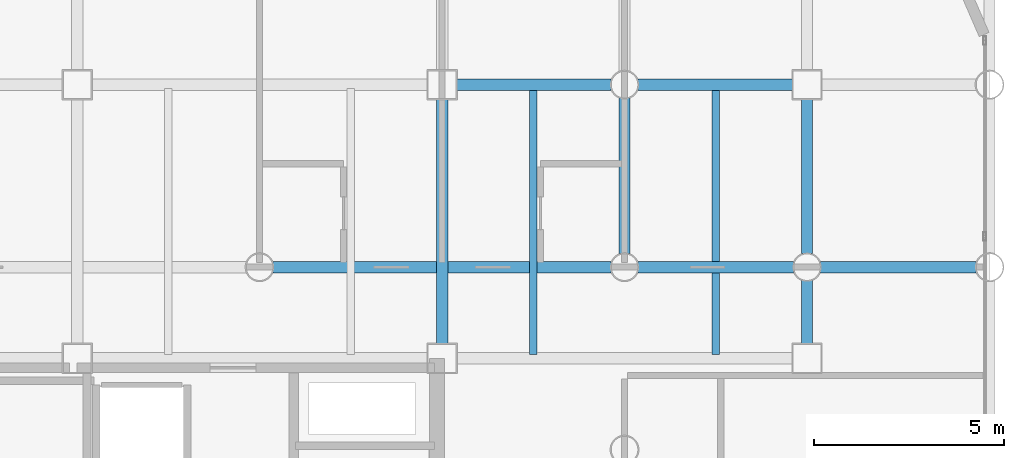
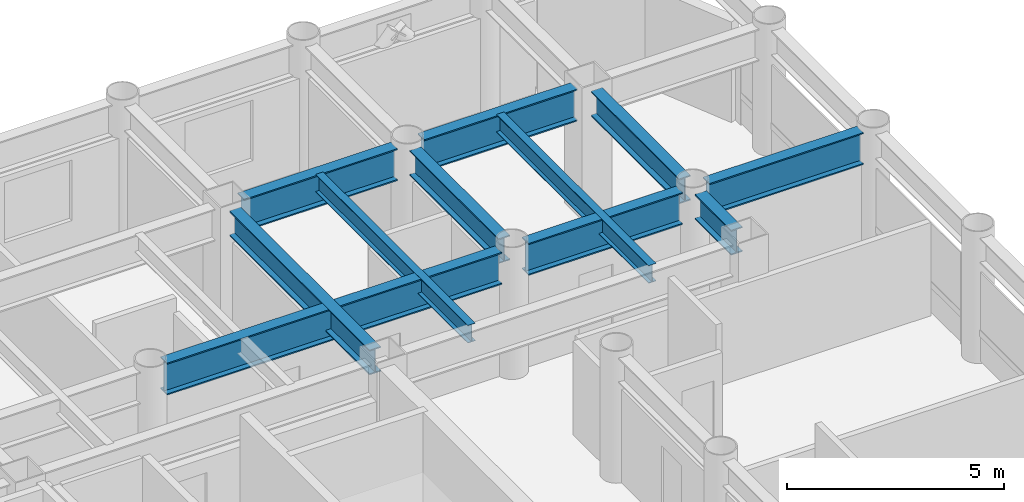
# One storey, part 13 of 21: 11 beams.
"""IFC4 building model written with IfcOpenShell, lengths in metres."""

from ifc_helpers import new_model, si_unit, direction, frame, origin, origin_2d, place, context, subcontext, project, spatial, i_section, extrude, material, material_profile, profile_set, type_object, element, save


model = new_model("IFC4")

# Units and contexts
model_context = context("Model", 3, precision=1e-05, world=origin(), true_north=direction((0.0, 1.0)))
body_context = subcontext(model_context, "Body", "Model", "MODEL_VIEW")
ifc_project = project(units=[si_unit("LENGTHUNIT", "METRE"), si_unit("AREAUNIT", "SQUARE_METRE"), si_unit("VOLUMEUNIT", "CUBIC_METRE"), si_unit("PLANEANGLEUNIT", "RADIAN"), si_unit("MASSUNIT", "GRAM", prefix="KILO")], contexts=[model_context])

# Site, building, storey
site_placement = place(None, origin())
site = spatial("IfcSite", under=ifc_project, at=site_placement, CompositionType="ELEMENT")
building_placement = place(site_placement, origin())
building = spatial("IfcBuilding", under=site, at=building_placement, Name="Kallvorn Hotel Tower", CompositionType="ELEMENT")
storey_placement = place(building_placement, frame((0.0, 0.0, 41.10009765625)))
storey = spatial("IfcBuildingStorey", under=building, at=storey_placement, Name="L08", CompositionType="ELEMENT", Elevation=41.10009765625)

# Beams
ifc_material_1 = material(Name="Structural steel S355JR", Category="steel")
ifc_material_profile_1 = material_profile(ifc_material_1, i_section(OverallWidth=0.300048828125, OverallDepth=0.699951171875, WebThickness=0.01708984375, FlangeThickness=0.031982421875, at=origin_2d()), Name="HE 700 B")
ifc_profile_set_1 = profile_set([ifc_material_profile_1], Name="Structural steel S355JR")
beam_type_1 = type_object("IfcBeamType", Name="BM_HE700B", PredefinedType="BEAM", material=ifc_profile_set_1)
beam_1_placement = place(storey_placement, frame((14.39990234375, 7.574951171875, 3.169921875), z_axis=(0.0, 1.0, 0.0), x_axis=(-1.0, 0.0, 0.0)))
element("IfcBeam", 1, at=beam_1_placement, inside=storey, type_object=beam_type_1, Name="L09 Primary Y-Girder 125", PredefinedType="BEAM", context=body_context, shape_type="SweptSolid", body=[
    extrude(i_section(OverallWidth=0.300048828125, OverallDepth=0.699951171875, WebThickness=0.01708984375, FlangeThickness=0.031982421875, at=origin_2d()), origin(), (0.0, 0.0, 1.0), 6.449951171875),
])
beam_2_placement = place(storey_placement, frame((19.199951171875, 9.9560546875, 3.169921875), z_axis=(0.0, 1.0, 0.0), x_axis=(-1.0, 0.0, 0.0)))
element("IfcBeam", 2, at=beam_2_placement, inside=storey, type_object=beam_type_1, Name="L09 Primary Y-Girder 134", PredefinedType="BEAM", context=body_context, shape_type="SweptSolid", body=[
    extrude(i_section(OverallWidth=0.300048828125, OverallDepth=0.699951171875, WebThickness=0.01708984375, FlangeThickness=0.031982421875, at=origin_2d()), origin(), (0.0, 0.0, 1.0), 4.087890625),
])
beam_3_placement = place(storey_placement, frame((24.0, 7.574951171875, 3.169921875), z_axis=(0.0, 1.0, 0.0), x_axis=(-1.0, 0.0, 0.0)))
element("IfcBeam", 3, at=beam_3_placement, inside=storey, type_object=beam_type_1, Name="L09 Primary Y-Girder 140", PredefinedType="BEAM", context=body_context, shape_type="SweptSolid", body=[
    extrude(i_section(OverallWidth=0.300048828125, OverallDepth=0.699951171875, WebThickness=0.01708984375, FlangeThickness=0.031982421875, at=origin_2d()), origin(), (0.0, 0.0, 1.0), 1.6689453125),
])
beam_4_placement = place(storey_placement, frame((24.0, 9.9560546875, 3.169921875), z_axis=(0.0, 1.0, 0.0), x_axis=(-1.0, 0.0, 0.0)))
element("IfcBeam", 4, at=beam_4_placement, inside=storey, type_object=beam_type_1, Name="L09 Primary Y-Girder 141", PredefinedType="BEAM", context=body_context, shape_type="SweptSolid", body=[
    extrude(i_section(OverallWidth=0.300048828125, OverallDepth=0.699951171875, WebThickness=0.01708984375, FlangeThickness=0.031982421875, at=origin_2d()), origin(), (0.0, 0.0, 1.0), 4.06884765625),
])
ifc_material_2 = material(Name="Structural steel S355JR", Category="steel")
ifc_material_profile_2 = material_profile(ifc_material_2, i_section(OverallWidth=0.300048828125, OverallDepth=0.89990234375, WebThickness=0.0185546875, FlangeThickness=0.034912109375, at=origin_2d()), Name="HE 900 B")
ifc_profile_set_2 = profile_set([ifc_material_profile_2], Name="Structural steel S355JR")
beam_type_2 = type_object("IfcBeamType", Name="BM_HE900B", PredefinedType="BEAM", material=ifc_profile_set_2)
beam_5_placement = place(storey_placement, frame((9.9560546875, 9.60009765625, 3.06982421875), z_axis=(1.0, 0.0, 0.0), x_axis=(0.0, 1.0, 0.0)))
element("IfcBeam", 5, at=beam_5_placement, inside=storey, type_object=beam_type_2, Name="L09 Primary X-Girder 48", PredefinedType="BEAM", context=body_context, shape_type="SweptSolid", body=[
    extrude(i_section(OverallWidth=0.300048828125, OverallDepth=0.89990234375, WebThickness=0.0185546875, FlangeThickness=0.034912109375, at=origin_2d()), origin(), (0.0, 0.0, 1.0), 8.887939453125),
])
for number, where, z_axis, x_axis, name in (
    (6, (19.555908203125, 9.60009765625, 3.06982421875), (1.0, 0.0, 0.0), (0.0, 1.0, 0.0), "L09 Primary X-Girder 49"),
    (7, (24.35595703125, 9.60009765625, 3.06982421875), (1.0, 0.0, 0.0), (0.0, 1.0, 0.0), "L09 Primary X-Girder 50"),
):
    element("IfcBeam", number, at=place(storey_placement, frame(where, z_axis=z_axis, x_axis=x_axis)), inside=storey, type_object=beam_type_2, Name=name, PredefinedType="BEAM", context=body_context, shape_type="SweptSolid", body=[
        extrude(i_section(OverallWidth=0.300048828125, OverallDepth=0.89990234375, WebThickness=0.0185546875, FlangeThickness=0.034912109375, at=origin_2d()), origin(), (0.0, 0.0, 1.0), 4.088134765625),
    ])
for number, where, z_axis, x_axis, name in (
    (8, (14.77490234375, 14.39990234375, 3.06982421875), (1.0, 0.0, 0.0), (0.0, 1.0, 0.0), "L09 Primary X-Girder 58"),
    (9, (19.555908203125, 14.39990234375, 3.06982421875), (1.0, 0.0, 0.0), (0.0, 1.0, 0.0), "L09 Primary X-Girder 59"),
):
    element("IfcBeam", number, at=place(storey_placement, frame(where, z_axis=z_axis, x_axis=x_axis)), inside=storey, type_object=beam_type_2, Name=name, PredefinedType="BEAM", context=body_context, shape_type="SweptSolid", body=[
        extrude(i_section(OverallWidth=0.300048828125, OverallDepth=0.89990234375, WebThickness=0.0185546875, FlangeThickness=0.034912109375, at=origin_2d()), origin(), (0.0, 0.0, 1.0), 4.069091796875),
    ])
ifc_material_3 = material(Name="Structural steel S355JR", Category="steel")
ifc_material_profile_3 = material_profile(ifc_material_3, i_section(OverallWidth=0.199951171875, OverallDepth=0.5, WebThickness=0.01025390625, FlangeThickness=0.01611328125, at=origin_2d()), Name="IPE 500")
ifc_profile_set_3 = profile_set([ifc_material_profile_3], Name="Structural steel S355JR")
beam_type_3 = type_object("IfcBeamType", Name="BM_IPE500", PredefinedType="JOIST", material=ifc_profile_set_3)
for number, where, z_axis, x_axis, name in (
    (10, (16.800048828125, 7.300048828125, 3.27001953125), (0.0, 1.0, 0.0), (-1.0, 0.0, 0.0), "L09 Secondary Composite Joist 207"),
    (11, (21.60009765625, 7.300048828125, 3.27001953125), (0.0, 1.0, 0.0), (-1.0, 0.0, 0.0), "L09 Secondary Composite Joist 209"),
):
    element("IfcBeam", number, at=place(storey_placement, frame(where, z_axis=z_axis, x_axis=x_axis)), inside=storey, type_object=beam_type_3, Name=name, PredefinedType="JOIST", context=body_context, shape_type="SweptSolid", body=[
        extrude(i_section(OverallWidth=0.199951171875, OverallDepth=0.5, WebThickness=0.01025390625, FlangeThickness=0.01611328125, at=origin_2d()), origin(), (0.0, 0.0, 1.0), 7.0),
    ])

save(model, "model.ifc")
